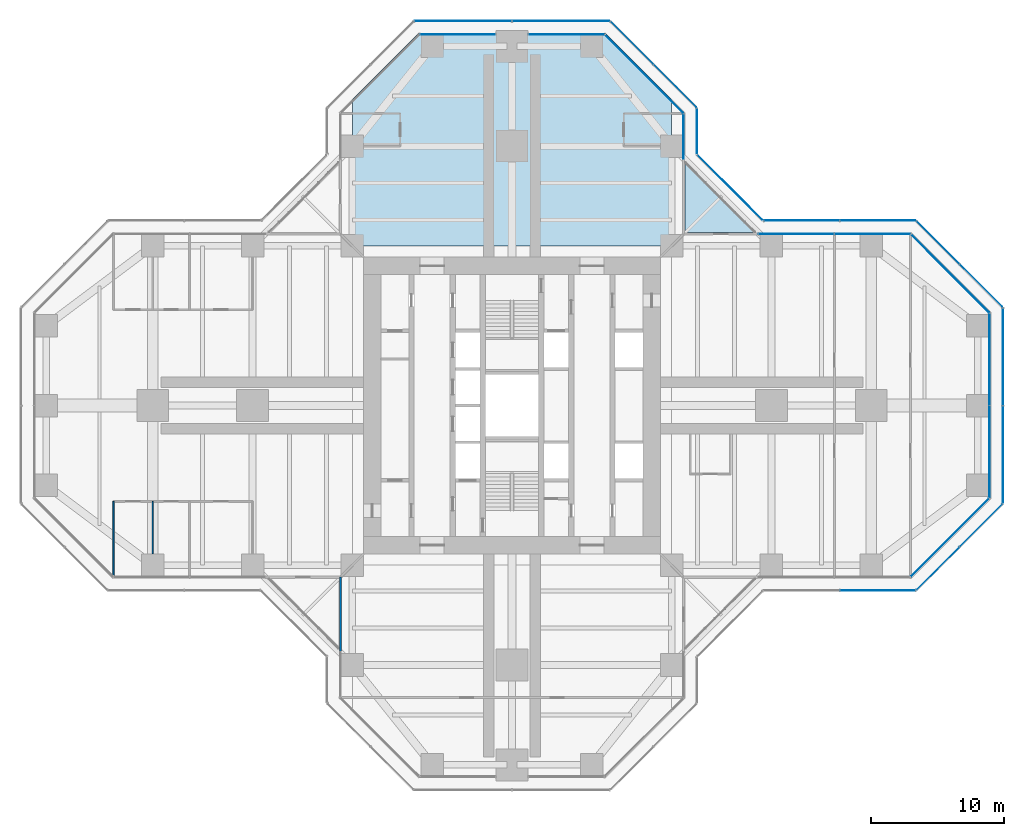
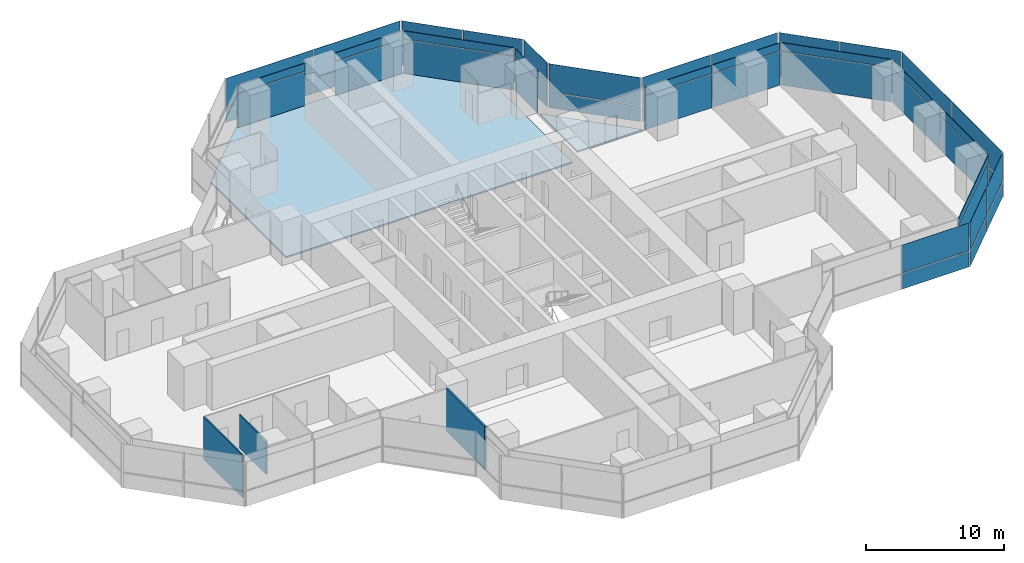
# One storey, part 14 of 20: 50 plates, 3 walls, 2 slabs, 17 elements without a shape of their own.
"""IFC4 building model written with IfcOpenShell, lengths in metres."""

from ifc_helpers import new_model, si_unit, direction, frame, frame_2d, origin, origin_2d, place, context, subcontext, project, spatial, polyline, rectangle, outline, extrude, material, layer, layer_set, type_object, element, aggregate, save


model = new_model("IFC4")

# Units and contexts
model_context = context("Model", 3, precision=1e-05, world=origin(), true_north=direction((0.0, 1.0)))
body_context = subcontext(model_context, "Body", "Model", "MODEL_VIEW")
ifc_project = project(units=[si_unit("LENGTHUNIT", "METRE"), si_unit("AREAUNIT", "SQUARE_METRE"), si_unit("VOLUMEUNIT", "CUBIC_METRE"), si_unit("PLANEANGLEUNIT", "RADIAN"), si_unit("MASSUNIT", "GRAM", prefix="KILO")], contexts=[model_context])

# Site, building, storey
site_placement = place(None, origin())
site = spatial("IfcSite", under=ifc_project, at=site_placement, CompositionType="ELEMENT")
building_placement = place(site_placement, origin())
building = spatial("IfcBuilding", under=site, at=building_placement, Name="Mizan Broadcast Tower", CompositionType="ELEMENT")
storey_placement = place(building_placement, frame((0.0, 0.0, 178.800048828125)))
storey = spatial("IfcBuildingStorey", under=building, at=storey_placement, Name="L41", CompositionType="ELEMENT", Elevation=178.800048828125)

# Slab
ifc_material_1 = material(Name="Concrete C32/40", Category="concrete")
ifc_layer_1 = layer(ifc_material_1, 0.1298828125)
ifc_layer_set_1 = layer_set([ifc_layer_1], Name="Concrete C32/40")
slab_type_1 = type_object("IfcSlabType", Name="COMPOSITE DECK SLAB 130", PredefinedType="FLOOR", material=ifc_layer_set_1)
slab_1_placement = place(storey_placement, frame((0.0, 0.0, -0.130126953125)))
element("IfcSlab", 1, at=slab_1_placement, inside=storey, type_object=slab_type_1, Name="Floor slab L41 north arm", PredefinedType="FLOOR", context=body_context, shape_type="SweptSolid", body=[
    extrude(outline(polyline([(-7.0, 28.0), (-12.0, 23.0), (-12.0, 12.0), (12.0, 12.0), (12.0, 23.0), (7.0, 28.0), (-7.0, 28.0)])), origin(), (0.0, 0.0, 1.0), 0.130126953125),
])

# Curtain wall, plate
ifc_material_2 = material(Name="Aluminium framed glazing", Category="aluminium")
curtain_wall_type_1 = type_object("IfcCurtainWallType", Name="INNER SKIN MID ZONE", PredefinedType="USERDEFINED", material=ifc_material_2)
curtain_wall_1_placement = place(storey_placement, origin())
curtain_wall_1 = element("IfcCurtainWall", 2, at=curtain_wall_1_placement, inside=storey, type_object=curtain_wall_type_1, Name="Inner skin mid zone L41 E chamfer", ObjectType="INNER SKIN MID ZONE", PredefinedType="USERDEFINED")
ifc_material_3 = material(Name="Double glazing, clear low-e", Category="glass")
ifc_layer_2 = layer(ifc_material_3, 0.028076171875)
ifc_layer_set_2 = layer_set([ifc_layer_2], Name="Double glazing, clear low-e")
plate_type_1 = type_object("IfcPlateType", Name="INNER SKIN GLAZING UNIT", PredefinedType="CURTAIN_PANEL", material=ifc_layer_set_2)
plate_1_placement = place(storey_placement, frame((32.92919921875, -9.92919921875, 0.0), z_axis=(0.0, 0.0, 1.0), x_axis=(0.707106781187, 0.707106781187, 0.0)))
plate_1 = element("IfcPlate", 3, at=plate_1_placement, type_object=plate_type_1, Name="Inner skin mid zone L41 E chamfer panel 1.1", PredefinedType="CURTAIN_PANEL", context=body_context, shape_type="SweptSolid", body=[
    extrude(rectangle(XDim=8.282470703125, YDim=0.028076171875, at=origin_2d()), origin(), (0.0, 0.0, 1.0), 3.0),
])

# Curtain wall, plates
curtain_wall_2_placement = place(storey_placement, origin())
curtain_wall_2 = element("IfcCurtainWall", 4, at=curtain_wall_2_placement, inside=storey, type_object=curtain_wall_type_1, Name="Inner skin mid zone L41 E end", ObjectType="INNER SKIN MID ZONE", PredefinedType="USERDEFINED")
plate_2_placement = place(storey_placement, frame((35.89990234375, -3.46435546875, 0.0), z_axis=(0.0, 0.0, 1.0), x_axis=(0.0, 1.0, 0.0)))
plate_2 = element("IfcPlate", 5, at=plate_2_placement, type_object=plate_type_1, Name="Inner skin mid zone L41 E end panel 1.1", PredefinedType="CURTAIN_PANEL", context=body_context, shape_type="SweptSolid", body=[
    extrude(rectangle(XDim=6.86865234375, YDim=0.028076171875, at=origin_2d()), origin(), (0.0, 0.0, 1.0), 3.0),
])
plate_3_placement = place(storey_placement, frame((35.89990234375, 3.46435546875, 0.0), z_axis=(0.0, 0.0, 1.0), x_axis=(0.0, 1.0, 0.0)))
plate_3 = element("IfcPlate", 6, at=plate_3_placement, type_object=plate_type_1, Name="Inner skin mid zone L41 E end panel 2.1", PredefinedType="CURTAIN_PANEL", context=body_context, shape_type="SweptSolid", body=[
    extrude(rectangle(XDim=6.86865234375, YDim=0.028076171875, at=origin_2d()), origin(), (0.0, 0.0, 1.0), 3.0),
])

# Curtain wall, plate
curtain_wall_3_placement = place(storey_placement, origin())
curtain_wall_3 = element("IfcCurtainWall", 7, at=curtain_wall_3_placement, inside=storey, type_object=curtain_wall_type_1, Name="Inner skin mid zone L41 E chamfer", ObjectType="INNER SKIN MID ZONE", PredefinedType="USERDEFINED")
plate_4_placement = place(storey_placement, frame((32.92919921875, 9.92919921875, 0.0), z_axis=(0.0, 0.0, 1.0), x_axis=(-0.707106781187, 0.707106781187, 0.0)))
plate_4 = element("IfcPlate", 8, at=plate_4_placement, type_object=plate_type_1, Name="Inner skin mid zone L41 E chamfer panel 1.1", PredefinedType="CURTAIN_PANEL", context=body_context, shape_type="SweptSolid", body=[
    extrude(rectangle(XDim=8.282470703125, YDim=0.028076171875, at=origin_2d()), origin(), (0.0, 0.0, 1.0), 3.0),
])

# Curtain wall, plates
curtain_wall_4_placement = place(storey_placement, origin())
curtain_wall_4 = element("IfcCurtainWall", 9, at=curtain_wall_4_placement, inside=storey, type_object=curtain_wall_type_1, Name="Inner skin mid zone L41 E side", ObjectType="INNER SKIN MID ZONE", PredefinedType="USERDEFINED")
plate_5_placement = place(storey_placement, frame((27.078857421875, 12.89990234375, 0.0), z_axis=(0.0, 0.0, 1.0), x_axis=(-1.0, 0.0, 0.0)))
plate_5 = element("IfcPlate", 10, at=plate_5_placement, type_object=plate_type_1, Name="Inner skin mid zone L41 E side panel 1.1", PredefinedType="CURTAIN_PANEL", context=body_context, shape_type="SweptSolid", body=[
    extrude(rectangle(XDim=5.639404296875, YDim=0.028076171875, at=origin_2d()), origin(), (0.0, 0.0, 1.0), 3.0),
])
plate_6_placement = place(storey_placement, frame((21.379638671875, 12.89990234375, 0.0), z_axis=(0.0, 0.0, 1.0), x_axis=(-1.0, 0.0, 0.0)))
plate_6 = element("IfcPlate", 11, at=plate_6_placement, type_object=plate_type_1, Name="Inner skin mid zone L41 E side panel 2.1", PredefinedType="CURTAIN_PANEL", context=body_context, shape_type="SweptSolid", body=[
    extrude(rectangle(XDim=5.639404296875, YDim=0.028076171875, at=origin_2d()), origin(), (0.0, 0.0, 1.0), 3.0),
])

# Curtain wall, plate
curtain_wall_5_placement = place(storey_placement, origin())
curtain_wall_5 = element("IfcCurtainWall", 12, at=curtain_wall_5_placement, inside=storey, type_object=curtain_wall_type_1, Name="Inner skin mid zone L41 N side", ObjectType="INNER SKIN MID ZONE", PredefinedType="USERDEFINED")
plate_7_placement = place(storey_placement, frame((12.89990234375, 20.229248046875, 0.0), z_axis=(0.0, 0.0, 1.0), x_axis=(0.0, 1.0, 0.0)))
plate_7 = element("IfcPlate", 13, at=plate_7_placement, type_object=plate_type_1, Name="Inner skin mid zone L41 N side panel 1.1", PredefinedType="CURTAIN_PANEL", context=body_context, shape_type="SweptSolid", body=[
    extrude(rectangle(XDim=3.338623046875, YDim=0.028076171875, at=origin_2d()), origin(), (0.0, 0.0, 1.0), 3.0),
])

curtain_wall_6_placement = place(storey_placement, origin())
curtain_wall_6 = element("IfcCurtainWall", 14, at=curtain_wall_6_placement, inside=storey, type_object=curtain_wall_type_1, Name="Inner skin mid zone L41 N chamfer", ObjectType="INNER SKIN MID ZONE", PredefinedType="USERDEFINED")
plate_8_placement = place(storey_placement, frame((9.92919921875, 24.92919921875, 0.0), z_axis=(0.0, 0.0, 1.0), x_axis=(-0.707106781187, 0.707106781187, 0.0)))
plate_8 = element("IfcPlate", 15, at=plate_8_placement, type_object=plate_type_1, Name="Inner skin mid zone L41 N chamfer panel 1.1", PredefinedType="CURTAIN_PANEL", context=body_context, shape_type="SweptSolid", body=[
    extrude(rectangle(XDim=8.282470703125, YDim=0.028076171875, at=origin_2d()), origin(), (0.0, 0.0, 1.0), 3.0),
])

curtain_wall_7_placement = place(storey_placement, origin())
curtain_wall_7 = element("IfcCurtainWall", 16, at=curtain_wall_7_placement, inside=storey, type_object=curtain_wall_type_1, Name="Inner skin mid zone L41 N end", ObjectType="INNER SKIN MID ZONE", PredefinedType="USERDEFINED")
plate_9_placement = place(storey_placement, frame((4.079345703125, 27.89990234375, 0.0), z_axis=(0.0, 0.0, 1.0), x_axis=(-1.0, 0.0, 0.0)))
plate_9 = element("IfcPlate", 17, at=plate_9_placement, type_object=plate_type_1, Name="Inner skin mid zone L41 N end panel 1.1", PredefinedType="CURTAIN_PANEL", context=body_context, shape_type="SweptSolid", body=[
    extrude(rectangle(XDim=5.638671875, YDim=0.028076171875, at=origin_2d()), origin(), (0.0, 0.0, 1.0), 3.0),
])

curtain_wall_8_placement = place(storey_placement, origin())
curtain_wall_8 = element("IfcCurtainWall", 18, at=curtain_wall_8_placement, inside=storey, type_object=curtain_wall_type_1, Name="Inner skin mid zone L41 N end", ObjectType="INNER SKIN MID ZONE", PredefinedType="USERDEFINED")
plate_10_placement = place(storey_placement, frame((-4.079345703125, 27.89990234375, 0.0), z_axis=(0.0, 0.0, 1.0), x_axis=(-1.0, 0.0, 0.0)))
plate_10 = element("IfcPlate", 19, at=plate_10_placement, type_object=plate_type_1, Name="Inner skin mid zone L41 N end panel 1.1", PredefinedType="CURTAIN_PANEL", context=body_context, shape_type="SweptSolid", body=[
    extrude(rectangle(XDim=5.638671875, YDim=0.028076171875, at=origin_2d()), origin(), (0.0, 0.0, 1.0), 3.0),
])

# Plate
ifc_material_4 = material(Name="Insulated aluminium spandrel panel, pale anodised", Category="aluminium")
ifc_layer_3 = layer(ifc_material_4, 0.050048828125)
ifc_layer_set_3 = layer_set([ifc_layer_3], Name="Insulated aluminium spandrel panel, pale anodised")
plate_type_2 = type_object("IfcPlateType", Name="INNER SKIN SPANDREL PANEL", PredefinedType="CURTAIN_PANEL", material=ifc_layer_set_3)
plate_11_placement = place(storey_placement, frame((32.92919921875, -9.92919921875, 3.06005859375), z_axis=(0.0, 0.0, 1.0), x_axis=(0.707106781187, 0.707106781187, 0.0)))
plate_11 = element("IfcPlate", 20, at=plate_11_placement, type_object=plate_type_2, Name="Inner skin mid zone L41 E chamfer panel 1.2", PredefinedType="CURTAIN_PANEL", context=body_context, shape_type="SweptSolid", body=[
    extrude(rectangle(XDim=8.282470703125, YDim=0.050048828125, at=origin_2d()), origin(), (0.0, 0.0, 1.0), 0.7099609375),
])

aggregate(curtain_wall_1, [plate_1, plate_11])

plate_12_placement = place(storey_placement, frame((35.89990234375, -3.46435546875, 3.06005859375), z_axis=(0.0, 0.0, 1.0), x_axis=(0.0, 1.0, 0.0)))
plate_12 = element("IfcPlate", 21, at=plate_12_placement, type_object=plate_type_2, Name="Inner skin mid zone L41 E end panel 1.2", PredefinedType="CURTAIN_PANEL", context=body_context, shape_type="SweptSolid", body=[
    extrude(rectangle(XDim=6.86865234375, YDim=0.050048828125, at=origin_2d()), origin(), (0.0, 0.0, 1.0), 0.7099609375),
])

plate_13_placement = place(storey_placement, frame((35.89990234375, 3.46435546875, 3.06005859375), z_axis=(0.0, 0.0, 1.0), x_axis=(0.0, 1.0, 0.0)))
plate_13 = element("IfcPlate", 22, at=plate_13_placement, type_object=plate_type_2, Name="Inner skin mid zone L41 E end panel 2.2", PredefinedType="CURTAIN_PANEL", context=body_context, shape_type="SweptSolid", body=[
    extrude(rectangle(XDim=6.86865234375, YDim=0.050048828125, at=origin_2d()), origin(), (0.0, 0.0, 1.0), 0.7099609375),
])

aggregate(curtain_wall_2, [plate_2, plate_12, plate_3, plate_13])

plate_14_placement = place(storey_placement, frame((32.92919921875, 9.92919921875, 3.06005859375), z_axis=(0.0, 0.0, 1.0), x_axis=(-0.707106781187, 0.707106781187, 0.0)))
plate_14 = element("IfcPlate", 23, at=plate_14_placement, type_object=plate_type_2, Name="Inner skin mid zone L41 E chamfer panel 1.2", PredefinedType="CURTAIN_PANEL", context=body_context, shape_type="SweptSolid", body=[
    extrude(rectangle(XDim=8.282470703125, YDim=0.050048828125, at=origin_2d()), origin(), (0.0, 0.0, 1.0), 0.7099609375),
])

aggregate(curtain_wall_3, [plate_4, plate_14])

plate_15_placement = place(storey_placement, frame((27.078857421875, 12.89990234375, 3.06005859375), z_axis=(0.0, 0.0, 1.0), x_axis=(-1.0, 0.0, 0.0)))
plate_15 = element("IfcPlate", 24, at=plate_15_placement, type_object=plate_type_2, Name="Inner skin mid zone L41 E side panel 1.2", PredefinedType="CURTAIN_PANEL", context=body_context, shape_type="SweptSolid", body=[
    extrude(rectangle(XDim=5.639404296875, YDim=0.050048828125, at=origin_2d()), origin(), (0.0, 0.0, 1.0), 0.7099609375),
])

plate_16_placement = place(storey_placement, frame((21.379638671875, 12.89990234375, 3.06005859375), z_axis=(0.0, 0.0, 1.0), x_axis=(-1.0, 0.0, 0.0)))
plate_16 = element("IfcPlate", 25, at=plate_16_placement, type_object=plate_type_2, Name="Inner skin mid zone L41 E side panel 2.2", PredefinedType="CURTAIN_PANEL", context=body_context, shape_type="SweptSolid", body=[
    extrude(rectangle(XDim=5.639404296875, YDim=0.050048828125, at=origin_2d()), origin(), (0.0, 0.0, 1.0), 0.7099609375),
])

aggregate(curtain_wall_4, [plate_5, plate_15, plate_6, plate_16])

plate_17_placement = place(storey_placement, frame((12.89990234375, 20.229248046875, 3.06005859375), z_axis=(0.0, 0.0, 1.0), x_axis=(0.0, 1.0, 0.0)))
plate_17 = element("IfcPlate", 26, at=plate_17_placement, type_object=plate_type_2, Name="Inner skin mid zone L41 N side panel 1.2", PredefinedType="CURTAIN_PANEL", context=body_context, shape_type="SweptSolid", body=[
    extrude(rectangle(XDim=3.338623046875, YDim=0.050048828125, at=origin_2d()), origin(), (0.0, 0.0, 1.0), 0.7099609375),
])

aggregate(curtain_wall_5, [plate_7, plate_17])

plate_18_placement = place(storey_placement, frame((9.92919921875, 24.92919921875, 3.06005859375), z_axis=(0.0, 0.0, 1.0), x_axis=(-0.707106781187, 0.707106781187, 0.0)))
plate_18 = element("IfcPlate", 27, at=plate_18_placement, type_object=plate_type_2, Name="Inner skin mid zone L41 N chamfer panel 1.2", PredefinedType="CURTAIN_PANEL", context=body_context, shape_type="SweptSolid", body=[
    extrude(rectangle(XDim=8.282470703125, YDim=0.050048828125, at=origin_2d()), origin(), (0.0, 0.0, 1.0), 0.7099609375),
])

aggregate(curtain_wall_6, [plate_8, plate_18])

plate_19_placement = place(storey_placement, frame((4.079345703125, 27.89990234375, 3.06005859375), z_axis=(0.0, 0.0, 1.0), x_axis=(-1.0, 0.0, 0.0)))
plate_19 = element("IfcPlate", 28, at=plate_19_placement, type_object=plate_type_2, Name="Inner skin mid zone L41 N end panel 1.2", PredefinedType="CURTAIN_PANEL", context=body_context, shape_type="SweptSolid", body=[
    extrude(rectangle(XDim=5.638671875, YDim=0.050048828125, at=origin_2d()), origin(), (0.0, 0.0, 1.0), 0.7099609375),
])

aggregate(curtain_wall_7, [plate_9, plate_19])

plate_20_placement = place(storey_placement, frame((-4.079345703125, 27.89990234375, 3.06005859375), z_axis=(0.0, 0.0, 1.0), x_axis=(-1.0, 0.0, 0.0)))
plate_20 = element("IfcPlate", 29, at=plate_20_placement, type_object=plate_type_2, Name="Inner skin mid zone L41 N end panel 1.2", PredefinedType="CURTAIN_PANEL", context=body_context, shape_type="SweptSolid", body=[
    extrude(rectangle(XDim=5.638671875, YDim=0.050048828125, at=origin_2d()), origin(), (0.0, 0.0, 1.0), 0.7099609375),
])

aggregate(curtain_wall_8, [plate_10, plate_20])

# Curtain wall, plates
ifc_material_5 = material(Name="Aluminium framed glazing", Category="aluminium")
curtain_wall_type_2 = type_object("IfcCurtainWallType", Name="OUTER SKIN", PredefinedType="USERDEFINED", material=ifc_material_5)
curtain_wall_9_placement = place(storey_placement, origin())
curtain_wall_9 = element("IfcCurtainWall", 30, at=curtain_wall_9_placement, inside=storey, type_object=curtain_wall_type_2, Name="Outer skin L41 E chamfer", ObjectType="OUTER SKIN", PredefinedType="USERDEFINED")
ifc_material_6 = material(Name="Laminated clear glass", Category="glass")
ifc_layer_4 = layer(ifc_material_6, 0.02001953125)
ifc_layer_set_4 = layer_set([ifc_layer_4], Name="Laminated clear glass")
plate_type_3 = type_object("IfcPlateType", Name="OUTER SKIN CLEAR GLASS", PredefinedType="CURTAIN_PANEL", material=ifc_layer_set_4)
plate_21_placement = place(storey_placement, frame((32.018798828125, -12.254150390625, 0.0), z_axis=(0.0, 0.0, 1.0), x_axis=(0.707106781187, 0.707106781187, 0.0)))
plate_21 = element("IfcPlate", 31, at=plate_21_placement, type_object=plate_type_3, Name="Outer skin L41 E chamfer panel 1.1", PredefinedType="CURTAIN_PANEL", context=body_context, shape_type="SweptSolid", body=[
    extrude(rectangle(XDim=4.495361328125, YDim=0.02001953125, at=origin_2d()), origin(), (0.0, 0.0, 1.0), 1.3701171875),
])
plate_22_placement = place(storey_placement, frame((32.018798828125, -12.254150390625, 1.43017578125), z_axis=(0.0, 0.0, 1.0), x_axis=(0.707106781187, 0.707106781187, 0.0)))
plate_22 = element("IfcPlate", 32, at=plate_22_placement, type_object=plate_type_3, Name="Outer skin L41 E chamfer panel 1.2", PredefinedType="CURTAIN_PANEL", context=body_context, shape_type="SweptSolid", body=[
    extrude(rectangle(XDim=4.495361328125, YDim=0.02001953125, at=origin_2d()), origin(), (0.0, 0.0, 1.0), 2.469970703125),
])

curtain_wall_10_placement = place(storey_placement, origin())
curtain_wall_10 = element("IfcCurtainWall", 33, at=curtain_wall_10_placement, inside=storey, type_object=curtain_wall_type_2, Name="Outer skin L41 E end", ObjectType="OUTER SKIN", PredefinedType="USERDEFINED")
plate_23_placement = place(storey_placement, frame((36.89990234375, -3.66650390625, 0.0), z_axis=(0.0, 0.0, 1.0), x_axis=(0.0, 1.0, 0.0)))
plate_23 = element("IfcPlate", 34, at=plate_23_placement, type_object=plate_type_3, Name="Outer skin L41 E end panel 1.1", PredefinedType="CURTAIN_PANEL", context=body_context, shape_type="SweptSolid", body=[
    extrude(rectangle(XDim=7.252685546875, YDim=0.02001953125, at=origin_2d()), origin(), (0.0, 0.0, 1.0), 1.3701171875),
])
plate_24_placement = place(storey_placement, frame((36.89990234375, -3.66650390625, 1.43017578125), z_axis=(0.0, 0.0, 1.0), x_axis=(0.0, 1.0, 0.0)))
plate_24 = element("IfcPlate", 35, at=plate_24_placement, type_object=plate_type_3, Name="Outer skin L41 E end panel 1.2", PredefinedType="CURTAIN_PANEL", context=body_context, shape_type="SweptSolid", body=[
    extrude(rectangle(XDim=7.252685546875, YDim=0.02001953125, at=origin_2d()), origin(), (0.0, 0.0, 1.0), 2.469970703125),
])

curtain_wall_11_placement = place(storey_placement, origin())
curtain_wall_11 = element("IfcCurtainWall", 36, at=curtain_wall_11_placement, inside=storey, type_object=curtain_wall_type_2, Name="Outer skin L41 E chamfer", ObjectType="OUTER SKIN", PredefinedType="USERDEFINED")
plate_25_placement = place(storey_placement, frame((35.254150390625, 9.018798828125, 0.0), z_axis=(0.0, 0.0, 1.0), x_axis=(-0.707106781187, 0.707106781187, 0.0)))
plate_25 = element("IfcPlate", 37, at=plate_25_placement, type_object=plate_type_3, Name="Outer skin L41 E chamfer panel 1.1", PredefinedType="CURTAIN_PANEL", context=body_context, shape_type="SweptSolid", body=[
    extrude(rectangle(XDim=4.495361328125, YDim=0.02001953125, at=origin_2d()), origin(), (0.0, 0.0, 1.0), 1.3701171875),
])
plate_26_placement = place(storey_placement, frame((35.254150390625, 9.018798828125, 1.43017578125), z_axis=(0.0, 0.0, 1.0), x_axis=(-0.707106781187, 0.707106781187, 0.0)))
plate_26 = element("IfcPlate", 38, at=plate_26_placement, type_object=plate_type_3, Name="Outer skin L41 E chamfer panel 1.2", PredefinedType="CURTAIN_PANEL", context=body_context, shape_type="SweptSolid", body=[
    extrude(rectangle(XDim=4.495361328125, YDim=0.02001953125, at=origin_2d()), origin(), (0.0, 0.0, 1.0), 2.469970703125),
])

curtain_wall_12_placement = place(storey_placement, origin())
curtain_wall_12 = element("IfcCurtainWall", 39, at=curtain_wall_12_placement, inside=storey, type_object=curtain_wall_type_2, Name="Outer skin L41 E side", ObjectType="OUTER SKIN", PredefinedType="USERDEFINED")
plate_27_placement = place(storey_placement, frame((27.477783203125, 13.89990234375, 0.0), z_axis=(0.0, 0.0, 1.0), x_axis=(-1.0, 0.0, 0.0)))
plate_27 = element("IfcPlate", 40, at=plate_27_placement, type_object=plate_type_3, Name="Outer skin L41 E side panel 1.1", PredefinedType="CURTAIN_PANEL", context=body_context, shape_type="SweptSolid", body=[
    extrude(rectangle(XDim=5.6298828125, YDim=0.02001953125, at=origin_2d()), origin(), (0.0, 0.0, 1.0), 1.3701171875),
])
plate_28_placement = place(storey_placement, frame((27.477783203125, 13.89990234375, 1.43017578125), z_axis=(0.0, 0.0, 1.0), x_axis=(-1.0, 0.0, 0.0)))
plate_28 = element("IfcPlate", 41, at=plate_28_placement, type_object=plate_type_3, Name="Outer skin L41 E side panel 1.2", PredefinedType="CURTAIN_PANEL", context=body_context, shape_type="SweptSolid", body=[
    extrude(rectangle(XDim=5.6298828125, YDim=0.02001953125, at=origin_2d()), origin(), (0.0, 0.0, 1.0), 2.469970703125),
])
plate_29_placement = place(storey_placement, frame((21.767822265625, 13.89990234375, 0.0), z_axis=(0.0, 0.0, 1.0), x_axis=(-1.0, 0.0, 0.0)))
plate_29 = element("IfcPlate", 42, at=plate_29_placement, type_object=plate_type_3, Name="Outer skin L41 E side panel 2.1", PredefinedType="CURTAIN_PANEL", context=body_context, shape_type="SweptSolid", body=[
    extrude(rectangle(XDim=5.6298828125, YDim=0.02001953125, at=origin_2d()), origin(), (0.0, 0.0, 1.0), 1.3701171875),
])
plate_30_placement = place(storey_placement, frame((21.767822265625, 13.89990234375, 1.43017578125), z_axis=(0.0, 0.0, 1.0), x_axis=(-1.0, 0.0, 0.0)))
plate_30 = element("IfcPlate", 43, at=plate_30_placement, type_object=plate_type_3, Name="Outer skin L41 E side panel 2.2", PredefinedType="CURTAIN_PANEL", context=body_context, shape_type="SweptSolid", body=[
    extrude(rectangle(XDim=5.6298828125, YDim=0.02001953125, at=origin_2d()), origin(), (0.0, 0.0, 1.0), 2.469970703125),
])
aggregate(curtain_wall_12, [plate_27, plate_28, plate_29, plate_30])

curtain_wall_13_placement = place(storey_placement, origin())
curtain_wall_13 = element("IfcCurtainWall", 44, at=curtain_wall_13_placement, inside=storey, type_object=curtain_wall_type_2, Name="Outer skin L41 E chamfer", ObjectType="OUTER SKIN", PredefinedType="USERDEFINED")
plate_31_placement = place(storey_placement, frame((16.386474609375, 16.386474609375, 0.0), z_axis=(0.0, 0.0, 1.0), x_axis=(-0.707106781187, 0.707106781187, 0.0)))
plate_31 = element("IfcPlate", 45, at=plate_31_placement, type_object=plate_type_3, Name="Outer skin L41 E chamfer panel 1.1", PredefinedType="CURTAIN_PANEL", context=body_context, shape_type="SweptSolid", body=[
    extrude(rectangle(XDim=6.87255859375, YDim=0.02001953125, at=origin_2d()), origin(), (0.0, 0.0, 1.0), 1.3701171875),
])
plate_32_placement = place(storey_placement, frame((16.386474609375, 16.386474609375, 1.43017578125), z_axis=(0.0, 0.0, 1.0), x_axis=(-0.707106781187, 0.707106781187, 0.0)))
plate_32 = element("IfcPlate", 46, at=plate_32_placement, type_object=plate_type_3, Name="Outer skin L41 E chamfer panel 1.2", PredefinedType="CURTAIN_PANEL", context=body_context, shape_type="SweptSolid", body=[
    extrude(rectangle(XDim=6.87255859375, YDim=0.02001953125, at=origin_2d()), origin(), (0.0, 0.0, 1.0), 2.469970703125),
])
aggregate(curtain_wall_13, [plate_31, plate_32])

curtain_wall_14_placement = place(storey_placement, origin())
curtain_wall_14 = element("IfcCurtainWall", 47, at=curtain_wall_14_placement, inside=storey, type_object=curtain_wall_type_2, Name="Outer skin L41 N side", ObjectType="OUTER SKIN", PredefinedType="USERDEFINED")
plate_33_placement = place(storey_placement, frame((13.89990234375, 20.622802734375, 0.0), z_axis=(0.0, 0.0, 1.0), x_axis=(0.0, 1.0, 0.0)))
plate_33 = element("IfcPlate", 48, at=plate_33_placement, type_object=plate_type_3, Name="Outer skin L41 N side panel 1.1", PredefinedType="CURTAIN_PANEL", context=body_context, shape_type="SweptSolid", body=[
    extrude(rectangle(XDim=3.340087890625, YDim=0.02001953125, at=origin_2d()), origin(), (0.0, 0.0, 1.0), 1.3701171875),
])
plate_34_placement = place(storey_placement, frame((13.89990234375, 20.622802734375, 1.43017578125), z_axis=(0.0, 0.0, 1.0), x_axis=(0.0, 1.0, 0.0)))
plate_34 = element("IfcPlate", 49, at=plate_34_placement, type_object=plate_type_3, Name="Outer skin L41 N side panel 1.2", PredefinedType="CURTAIN_PANEL", context=body_context, shape_type="SweptSolid", body=[
    extrude(rectangle(XDim=3.340087890625, YDim=0.02001953125, at=origin_2d()), origin(), (0.0, 0.0, 1.0), 2.469970703125),
])
aggregate(curtain_wall_14, [plate_33, plate_34])

curtain_wall_15_placement = place(storey_placement, origin())
curtain_wall_15 = element("IfcCurtainWall", 50, at=curtain_wall_15_placement, inside=storey, type_object=curtain_wall_type_2, Name="Outer skin L41 N chamfer", ObjectType="OUTER SKIN", PredefinedType="USERDEFINED")
plate_35_placement = place(storey_placement, frame((12.254150390625, 24.018798828125, 0.0), z_axis=(0.0, 0.0, 1.0), x_axis=(-0.707106781187, 0.707106781187, 0.0)))
plate_35 = element("IfcPlate", 51, at=plate_35_placement, type_object=plate_type_3, Name="Outer skin L41 N chamfer panel 1.1", PredefinedType="CURTAIN_PANEL", context=body_context, shape_type="SweptSolid", body=[
    extrude(rectangle(XDim=4.495361328125, YDim=0.02001953125, at=origin_2d()), origin(), (0.0, 0.0, 1.0), 1.3701171875),
])
plate_36_placement = place(storey_placement, frame((12.254150390625, 24.018798828125, 1.43017578125), z_axis=(0.0, 0.0, 1.0), x_axis=(-0.707106781187, 0.707106781187, 0.0)))
plate_36 = element("IfcPlate", 52, at=plate_36_placement, type_object=plate_type_3, Name="Outer skin L41 N chamfer panel 1.2", PredefinedType="CURTAIN_PANEL", context=body_context, shape_type="SweptSolid", body=[
    extrude(rectangle(XDim=4.495361328125, YDim=0.02001953125, at=origin_2d()), origin(), (0.0, 0.0, 1.0), 2.469970703125),
])

curtain_wall_16_placement = place(storey_placement, origin())
curtain_wall_16 = element("IfcCurtainWall", 53, at=curtain_wall_16_placement, inside=storey, type_object=curtain_wall_type_2, Name="Outer skin L41 N end", ObjectType="OUTER SKIN", PredefinedType="USERDEFINED")
plate_37_placement = place(storey_placement, frame((3.66650390625, 28.89990234375, 0.0), z_axis=(0.0, 0.0, 1.0), x_axis=(-1.0, 0.0, 0.0)))
plate_37 = element("IfcPlate", 54, at=plate_37_placement, type_object=plate_type_3, Name="Outer skin L41 N end panel 1.1", PredefinedType="CURTAIN_PANEL", context=body_context, shape_type="SweptSolid", body=[
    extrude(rectangle(XDim=7.252685546875, YDim=0.02001953125, at=origin_2d()), origin(), (0.0, 0.0, 1.0), 1.3701171875),
])
plate_38_placement = place(storey_placement, frame((3.66650390625, 28.89990234375, 1.43017578125), z_axis=(0.0, 0.0, 1.0), x_axis=(-1.0, 0.0, 0.0)))
plate_38 = element("IfcPlate", 55, at=plate_38_placement, type_object=plate_type_3, Name="Outer skin L41 N end panel 1.2", PredefinedType="CURTAIN_PANEL", context=body_context, shape_type="SweptSolid", body=[
    extrude(rectangle(XDim=7.252685546875, YDim=0.02001953125, at=origin_2d()), origin(), (0.0, 0.0, 1.0), 2.469970703125),
])
plate_39_placement = place(storey_placement, frame((-3.66650390625, 28.89990234375, 0.0), z_axis=(0.0, 0.0, 1.0), x_axis=(-1.0, 0.0, 0.0)))
plate_39 = element("IfcPlate", 56, at=plate_39_placement, type_object=plate_type_3, Name="Outer skin L41 N end panel 2.1", PredefinedType="CURTAIN_PANEL", context=body_context, shape_type="SweptSolid", body=[
    extrude(rectangle(XDim=7.252685546875, YDim=0.02001953125, at=origin_2d()), origin(), (0.0, 0.0, 1.0), 1.3701171875),
])
plate_40_placement = place(storey_placement, frame((-3.66650390625, 28.89990234375, 1.43017578125), z_axis=(0.0, 0.0, 1.0), x_axis=(-1.0, 0.0, 0.0)))
plate_40 = element("IfcPlate", 57, at=plate_40_placement, type_object=plate_type_3, Name="Outer skin L41 N end panel 2.2", PredefinedType="CURTAIN_PANEL", context=body_context, shape_type="SweptSolid", body=[
    extrude(rectangle(XDim=7.252685546875, YDim=0.02001953125, at=origin_2d()), origin(), (0.0, 0.0, 1.0), 2.469970703125),
])
aggregate(curtain_wall_16, [plate_37, plate_38, plate_39, plate_40])

# Plate
ifc_material_7 = material(Name="Perforated aluminium, pale anodised", Category="aluminium")
ifc_layer_5 = layer(ifc_material_7, 0.011962890625)
ifc_layer_set_5 = layer_set([ifc_layer_5], Name="Perforated aluminium, pale anodised")
plate_type_4 = type_object("IfcPlateType", Name="OUTER SKIN PERFORATED SCREEN", PredefinedType="USERDEFINED", material=ifc_layer_set_5)
plate_41_placement = place(storey_placement, frame((35.254150390625, -9.018798828125, 0.0), z_axis=(0.0, 0.0, 1.0), x_axis=(0.707106781187, 0.707106781187, 0.0)))
plate_41 = element("IfcPlate", 58, at=plate_41_placement, type_object=plate_type_4, Name="Outer skin L41 E chamfer panel 2.1", ObjectType="SCREEN", PredefinedType="USERDEFINED", context=body_context, shape_type="SweptSolid", body=[
    extrude(rectangle(XDim=4.495361328125, YDim=0.011962890625, at=origin_2d()), origin(), (0.0, 0.0, 1.0), 1.3701171875),
])

plate_42_placement = place(storey_placement, frame((35.254150390625, -9.018798828125, 1.43017578125), z_axis=(0.0, 0.0, 1.0), x_axis=(0.707106781187, 0.707106781187, 0.0)))
plate_42 = element("IfcPlate", 59, at=plate_42_placement, type_object=plate_type_4, Name="Outer skin L41 E chamfer panel 2.2", ObjectType="SCREEN", PredefinedType="USERDEFINED", context=body_context, shape_type="SweptSolid", body=[
    extrude(rectangle(XDim=4.495361328125, YDim=0.011962890625, at=origin_2d()), origin(), (0.0, 0.0, 1.0), 2.469970703125),
])

aggregate(curtain_wall_9, [plate_21, plate_22, plate_41, plate_42])

plate_43_placement = place(storey_placement, frame((36.89990234375, 3.66650390625, 0.0), z_axis=(0.0, 0.0, 1.0), x_axis=(0.0, 1.0, 0.0)))
plate_43 = element("IfcPlate", 60, at=plate_43_placement, type_object=plate_type_4, Name="Outer skin L41 E end panel 2.1", ObjectType="SCREEN", PredefinedType="USERDEFINED", context=body_context, shape_type="SweptSolid", body=[
    extrude(rectangle(XDim=7.252685546875, YDim=0.011962890625, at=origin_2d()), origin(), (0.0, 0.0, 1.0), 1.3701171875),
])

plate_44_placement = place(storey_placement, frame((36.89990234375, 3.66650390625, 1.43017578125), z_axis=(0.0, 0.0, 1.0), x_axis=(0.0, 1.0, 0.0)))
plate_44 = element("IfcPlate", 61, at=plate_44_placement, type_object=plate_type_4, Name="Outer skin L41 E end panel 2.2", ObjectType="SCREEN", PredefinedType="USERDEFINED", context=body_context, shape_type="SweptSolid", body=[
    extrude(rectangle(XDim=7.252685546875, YDim=0.011962890625, at=origin_2d()), origin(), (0.0, 0.0, 1.0), 2.469970703125),
])

aggregate(curtain_wall_10, [plate_23, plate_24, plate_43, plate_44])

plate_45_placement = place(storey_placement, frame((32.018798828125, 12.254150390625, 0.0), z_axis=(0.0, 0.0, 1.0), x_axis=(-0.707106781187, 0.707106781187, 0.0)))
plate_45 = element("IfcPlate", 62, at=plate_45_placement, type_object=plate_type_4, Name="Outer skin L41 E chamfer panel 2.1", ObjectType="SCREEN", PredefinedType="USERDEFINED", context=body_context, shape_type="SweptSolid", body=[
    extrude(rectangle(XDim=4.495361328125, YDim=0.011962890625, at=origin_2d()), origin(), (0.0, 0.0, 1.0), 1.3701171875),
])

plate_46_placement = place(storey_placement, frame((32.018798828125, 12.254150390625, 1.43017578125), z_axis=(0.0, 0.0, 1.0), x_axis=(-0.707106781187, 0.707106781187, 0.0)))
plate_46 = element("IfcPlate", 63, at=plate_46_placement, type_object=plate_type_4, Name="Outer skin L41 E chamfer panel 2.2", ObjectType="SCREEN", PredefinedType="USERDEFINED", context=body_context, shape_type="SweptSolid", body=[
    extrude(rectangle(XDim=4.495361328125, YDim=0.011962890625, at=origin_2d()), origin(), (0.0, 0.0, 1.0), 2.469970703125),
])

aggregate(curtain_wall_11, [plate_25, plate_26, plate_45, plate_46])

plate_47_placement = place(storey_placement, frame((9.018798828125, 27.254150390625, 0.0), z_axis=(0.0, 0.0, 1.0), x_axis=(-0.707106781187, 0.707106781187, 0.0)))
plate_47 = element("IfcPlate", 64, at=plate_47_placement, type_object=plate_type_4, Name="Outer skin L41 N chamfer panel 2.1", ObjectType="SCREEN", PredefinedType="USERDEFINED", context=body_context, shape_type="SweptSolid", body=[
    extrude(rectangle(XDim=4.495361328125, YDim=0.011962890625, at=origin_2d()), origin(), (0.0, 0.0, 1.0), 1.3701171875),
])

plate_48_placement = place(storey_placement, frame((9.018798828125, 27.254150390625, 1.43017578125), z_axis=(0.0, 0.0, 1.0), x_axis=(-0.707106781187, 0.707106781187, 0.0)))
plate_48 = element("IfcPlate", 65, at=plate_48_placement, type_object=plate_type_4, Name="Outer skin L41 N chamfer panel 2.2", ObjectType="SCREEN", PredefinedType="USERDEFINED", context=body_context, shape_type="SweptSolid", body=[
    extrude(rectangle(XDim=4.495361328125, YDim=0.011962890625, at=origin_2d()), origin(), (0.0, 0.0, 1.0), 2.469970703125),
])

aggregate(curtain_wall_15, [plate_35, plate_36, plate_47, plate_48])

# Curtain wall, plates
curtain_wall_17_placement = place(storey_placement, origin())
curtain_wall_17 = element("IfcCurtainWall", 66, at=curtain_wall_17_placement, inside=storey, type_object=curtain_wall_type_2, Name="Outer skin L41 E side", ObjectType="OUTER SKIN", PredefinedType="USERDEFINED")
plate_49_placement = place(storey_placement, frame((27.477783203125, -13.89990234375, 0.0), z_axis=(0.0, 0.0, 1.0), x_axis=(1.0, 0.0, 0.0)))
plate_49 = element("IfcPlate", 67, at=plate_49_placement, type_object=plate_type_4, Name="Outer skin L41 E side panel 2.1", ObjectType="SCREEN", PredefinedType="USERDEFINED", context=body_context, shape_type="SweptSolid", body=[
    extrude(rectangle(XDim=5.6298828125, YDim=0.011962890625, at=origin_2d()), origin(), (0.0, 0.0, 1.0), 1.3701171875),
])
plate_50_placement = place(storey_placement, frame((27.477783203125, -13.89990234375, 1.43017578125), z_axis=(0.0, 0.0, 1.0), x_axis=(1.0, 0.0, 0.0)))
plate_50 = element("IfcPlate", 68, at=plate_50_placement, type_object=plate_type_4, Name="Outer skin L41 E side panel 2.2", ObjectType="SCREEN", PredefinedType="USERDEFINED", context=body_context, shape_type="SweptSolid", body=[
    extrude(rectangle(XDim=5.6298828125, YDim=0.011962890625, at=origin_2d()), origin(), (0.0, 0.0, 1.0), 2.469970703125),
])
aggregate(curtain_wall_17, [plate_49, plate_50])

# Slab
ifc_material_8 = material(Name="Concrete C32/40", Category="concrete")
ifc_layer_6 = layer(ifc_material_8, 0.1298828125)
ifc_layer_set_6 = layer_set([ifc_layer_6], Name="Concrete C32/40")
slab_type_2 = type_object("IfcSlabType", Name="WINTER GARDEN SLAB 130", PredefinedType="FLOOR", material=ifc_layer_set_6)
slab_2_placement = place(storey_placement, frame((0.0, 0.0, -0.130126953125)))
element("IfcSlab", 69, at=slab_2_placement, inside=storey, type_object=slab_type_2, Name="Winter garden slab L41 E", PredefinedType="FLOOR", context=body_context, shape_type="SweptSolid", body=[
    extrude(outline(polyline([(13.0, 13.0), (18.5, 13.0), (13.0, 18.5), (13.0, 13.0)])), origin(), (0.0, 0.0, 1.0), 0.130126953125),
])

# Walls
ifc_material_9 = material(Name="Aluminium framed glazed screen", Category="aluminium")
ifc_layer_7 = layer(ifc_material_9, 0.159912109375)
ifc_layer_set_7 = layer_set([ifc_layer_7], Name="Aluminium framed glazed screen")
wall_type_1 = type_object("IfcWallType", Name="GLAZED SCREEN WALL 160", PredefinedType="SOLIDWALL", material=ifc_layer_set_7)
wall_1_placement = place(storey_placement, frame((-12.89990234375, -12.89990234375, 0.0), z_axis=(0.0, 0.0, 1.0), x_axis=(0.0, -1.0, 0.0)))
element("IfcWall", 70, at=wall_1_placement, inside=storey, type_object=wall_type_1, Name="Winter garden screen L41 S", PredefinedType="SOLIDWALL", context=body_context, shape_type="SweptSolid", body=[
    extrude(rectangle(XDim=5.60009765625, YDim=0.159912109375, at=frame_2d((2.800048828125, 0.0))), origin(), (0.0, 0.0, 1.0), 3.77001953125),
])
ifc_material_10 = material(Name="Glazed aluminium partition on aluminium track", Category="aluminium")
ifc_layer_8 = layer(ifc_material_10, 0.10009765625)
ifc_layer_set_8 = layer_set([ifc_layer_8], Name="Glazed aluminium partition on aluminium track")
wall_type_2 = type_object("IfcWallType", Name="PARTITION GLAZED OFFICE FRONT 100", PredefinedType="PARTITIONING", material=ifc_layer_set_8)
wall_2_placement = place(storey_placement, frame((-27.0, -7.199951171875, 0.0), z_axis=(0.0, 0.0, 1.0), x_axis=(0.0, -1.0, 0.0)))
element("IfcWall", 71, at=wall_2_placement, inside=storey, type_object=wall_type_2, Name="Glazed office front PT/WQP2700", PredefinedType="PARTITIONING", context=body_context, shape_type="SweptSolid", body=[
    extrude(rectangle(XDim=3.949951171875, YDim=0.10009765625, at=frame_2d((1.97509765625, 0.0))), origin(), (0.0, 0.0, 1.0), 2.969970703125),
])
wall_3_placement = place(storey_placement, frame((-29.958984375, -7.199951171875, 0.0), z_axis=(0.0, 0.0, 1.0), x_axis=(0.0, -1.0, 0.0)))
element("IfcWall", 72, at=wall_3_placement, inside=storey, type_object=wall_type_2, Name="Glazed office front PT/WQP2996", PredefinedType="PARTITIONING", context=body_context, shape_type="SweptSolid", body=[
    extrude(rectangle(XDim=5.6201171875, YDim=0.10009765625, at=frame_2d((2.81005859375, 0.0))), origin(), (0.0, 0.0, 1.0), 3.77001953125),
])

save(model, "model.ifc")
